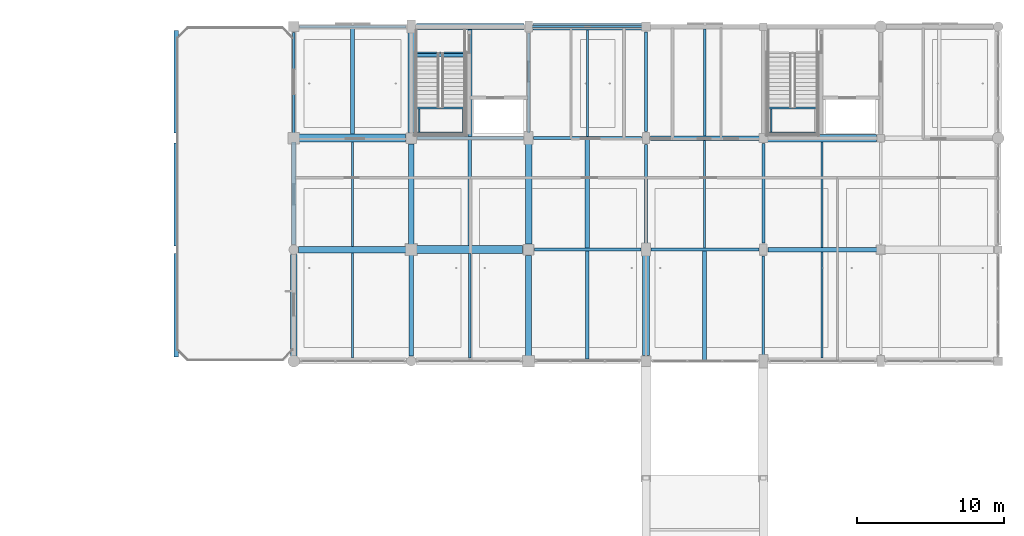
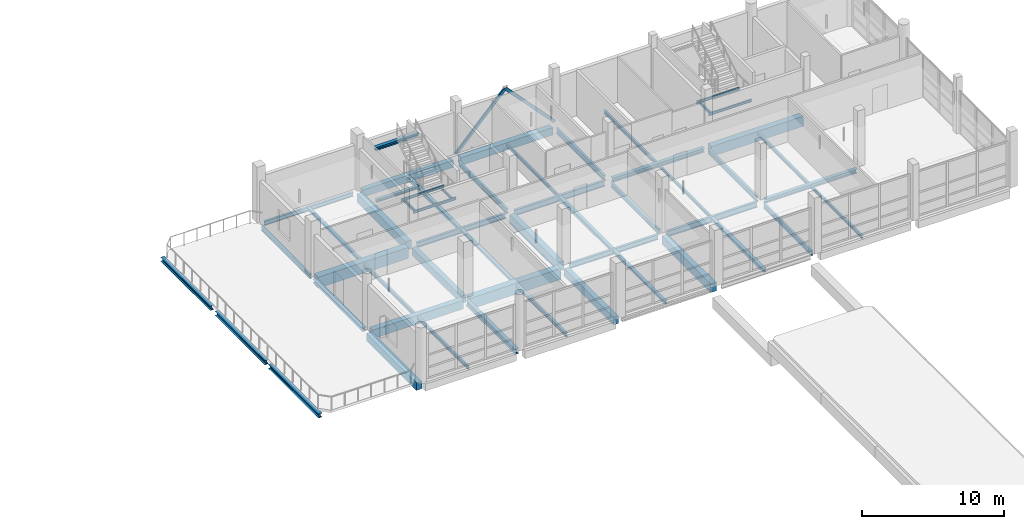
# One storey, part 53 of 107: 53 beams, 2 members.
"""IFC4 building model written with IfcOpenShell, lengths in metres."""

import ifcopenshell
import ifcopenshell.guid

model = None  # the IFC model being written
_history = None  # IfcOwnerHistory: only IFC2X3 demands one
_inside = {}  # id of a spatial element -> (the spatial element, [elements in it])
_under = {}  # id of a project, library or spatial element -> (it, [spatial elements below it])
_declared = {}  # id of a project -> (the project, [libraries it declares])
_typed = {}  # id of a type object -> (the type object, [elements of that type])
_made_of = {}  # id of a material, layer set ... -> (it, [elements and type objects made of it])


def new_model(schema):
    """Start an empty IFC model of exactly this schema.

    Asked for "IFC4X3", IfcOpenShell would pick the latest addendum, in which some entities
    have other attributes; the version numbers below select the first issue.
    IFC2X3 requires an IfcOwnerHistory on every rooted entity: one is made here for all.
    """
    global model, _history
    if schema == "IFC4X3":
        model = ifcopenshell.file(schema_version=(4, 3, 0, 0))
    else:
        model = ifcopenshell.file(schema=schema)
    _inside.clear()
    _under.clear()
    _declared.clear()
    _typed.clear()
    _made_of.clear()
    _history = None
    if model.schema == "IFC2X3":
        org = make("IfcOrganization", Name="unknown")
        user = make(
            "IfcPersonAndOrganization",
            ThePerson=make("IfcPerson", FamilyName="unknown"),
            TheOrganization=org,
        )
        app = make(
            "IfcApplication",
            ApplicationDeveloper=org,
            Version="unknown",
            ApplicationFullName="unknown",
            ApplicationIdentifier="unknown",
        )
        _history = make(
            "IfcOwnerHistory",
            OwningUser=user,
            OwningApplication=app,
            ChangeAction="ADDED",
            CreationDate=0,
        )
    return model


def make(cls, **values):
    """One entity of the class cls with the attributes given. An attribute that is None is left unset."""
    return model.create_entity(
        cls, **{name: value for name, value in values.items() if value is not None}
    )


def rooted(cls, **values):
    """An entity with a GlobalId (a new one), such as an element, a storey or a relation."""
    return make(cls, GlobalId=ifcopenshell.guid.new(), OwnerHistory=_history, **values)


def si_unit(unit_type, name, prefix=None):
    """IfcSIUnit, for example si_unit("LENGTHUNIT", "METRE", prefix="MILLI")."""
    return make("IfcSIUnit", UnitType=unit_type, Prefix=prefix, Name=name)


def assignment(units):
    """IfcUnitAssignment: the units of a project."""
    return None if units is None else make("IfcUnitAssignment", Units=units)


def point(xyz):
    """IfcCartesianPoint."""
    return None if xyz is None else make("IfcCartesianPoint", Coordinates=xyz)


def direction(xyz):
    """IfcDirection."""
    return None if xyz is None else make("IfcDirection", DirectionRatios=xyz)


def frame(location, z_axis=None, x_axis=None):
    """IfcAxis2Placement3D, a coordinate frame: its origin and axes. An axis left out is left unset."""
    return make(
        "IfcAxis2Placement3D",
        Location=point(location),
        Axis=direction(z_axis),
        RefDirection=direction(x_axis),
    )


def frame_2d(location, x_axis=None):
    """IfcAxis2Placement2D, a coordinate frame in the plane: its origin and x axis."""
    return make(
        "IfcAxis2Placement2D", Location=point(location), RefDirection=direction(x_axis)
    )


def origin():
    """The frame at (0, 0, 0) with its axes left unset."""
    return frame((0.0, 0.0, 0.0))


def origin_2d():
    """The frame at (0, 0) in the plane with its x axis left unset."""
    return frame_2d((0.0, 0.0))


def place(relative_to, where):
    """IfcLocalPlacement: puts the frame where relative to a parent placement (None: the world)."""
    return make(
        "IfcLocalPlacement", PlacementRelTo=relative_to, RelativePlacement=where
    )


def context(
    kind, dimensions, precision=None, world=None, true_north=None, identifier=None
):
    """IfcGeometricRepresentationContext, for example the 3D "Model" context."""
    return make(
        "IfcGeometricRepresentationContext",
        ContextIdentifier=identifier,
        ContextType=kind,
        CoordinateSpaceDimension=dimensions,
        Precision=precision,
        WorldCoordinateSystem=world,
        TrueNorth=true_north,
    )


def subcontext(parent, identifier, kind, view, scale=None):
    """IfcGeometricRepresentationSubContext, for example "Body" below "Model"."""
    return make(
        "IfcGeometricRepresentationSubContext",
        ContextIdentifier=identifier,
        ContextType=kind,
        ParentContext=parent,
        TargetScale=scale,
        TargetView=view,
    )


def project(units=None, contexts=None):
    """IfcProject with its units and contexts."""
    return rooted(
        "IfcProject",
        Name="project",
        RepresentationContexts=contexts,
        UnitsInContext=assignment(units),
    )


def spatial(cls, under=None, at=None, **own):
    """A site, building, storey or space (cls), placed at a placement, below another one or the project."""
    s = rooted(cls, ObjectPlacement=at, **own)
    if under is not None:
        _under.setdefault(under.id(), (under, []))[1].append(s)
    return s


def profile(cls, at=None, kind="AREA", **sizes):
    """A parametric profile (cls). Its sizes go by their IFC names, for example OverallWidth=200.0."""
    return make(cls, ProfileType=kind, Position=at, **sizes)


def rectangle(**sizes):
    """IfcRectangleProfileDef."""
    return profile("IfcRectangleProfileDef", **sizes)


def hollow_rectangle(**sizes):
    """IfcRectangleHollowProfileDef."""
    return profile("IfcRectangleHollowProfileDef", **sizes)


def i_section(**sizes):
    """IfcIShapeProfileDef."""
    return profile("IfcIShapeProfileDef", **sizes)


def extrude(swept, where, along, depth):
    """IfcExtrudedAreaSolid: the profile swept, set in the frame where, extruded along a direction by depth."""
    return make(
        "IfcExtrudedAreaSolid",
        SweptArea=swept,
        Position=where,
        ExtrudedDirection=direction(along),
        Depth=depth,
    )


def shape(context_of_items, identifier, shape_type, items):
    """IfcShapeRepresentation: the items that make up one representation, for example the "Body"."""
    return make(
        "IfcShapeRepresentation",
        ContextOfItems=context_of_items,
        RepresentationIdentifier=identifier,
        RepresentationType=shape_type,
        Items=items,
    )


def material(Name=None, Category=None):
    """IfcMaterial."""
    return make("IfcMaterial", Name=Name, Category=Category)


def material_profile(
    of_material, cross_section, Name=None, Category=None, Priority=None
):
    """IfcMaterialProfile: a cross section and its material."""
    return make(
        "IfcMaterialProfile",
        Name=Name,
        Material=of_material,
        Profile=cross_section,
        Priority=Priority,
        Category=Category,
    )


def profile_set(profiles, Name=None, composite=None):
    """IfcMaterialProfileSet."""
    return make(
        "IfcMaterialProfileSet",
        Name=Name,
        MaterialProfiles=profiles,
        CompositeProfile=composite,
    )


def made_of(thing, what):
    """Note that an element or type object is made of a material, layer set ...; save() writes the relation."""
    if what is not None:
        _made_of.setdefault(what.id(), (what, []))[1].append(thing)
    return thing


def type_object(cls, material=None, **own):
    """A type object (cls), such as IfcWallType, which elements share."""
    return made_of(rooted(cls, **own), material)


def element(
    cls,
    number,
    at=None,
    inside=None,
    cuts=None,
    type_object=None,
    material=None,
    context=None,
    identifier="Body",
    shape_type=None,
    held_by="IfcProductDefinitionShape",
    body=None,
    shapes=None,
    **own,
):
    """One element of the class cls, such as IfcWall. Its Tag is "e" and its number.

    at: its placement. inside: the storey or other place that contains it. cuts: it is an
    opening in that element (IfcRelVoidsElement). A single representation is given by context,
    identifier, shape_type and body (its items); several are given by shapes. held_by: the class
    of the entity that holds the representations. save() writes the other relations.
    """
    e = rooted(cls, Tag="e%d" % number, ObjectPlacement=at, **own)
    if body is not None:
        shapes = [shape(context, identifier, shape_type, body)]
    if shapes is not None:
        e.Representation = make(held_by, Representations=shapes)
    if inside is not None:
        _inside.setdefault(inside.id(), (inside, []))[1].append(e)
    if cuts is not None:
        rooted(
            "IfcRelVoidsElement", RelatingBuildingElement=cuts, RelatedOpeningElement=e
        )
    if type_object is not None:
        _typed.setdefault(type_object.id(), (type_object, []))[1].append(e)
    return made_of(e, material)


def aggregate(whole, parts):
    """IfcRelAggregates: a whole, such as a stair, and the parts it consists of."""
    return rooted("IfcRelAggregates", RelatingObject=whole, RelatedObjects=parts)


def save(model, path):
    """Write the relations noted so far, then the file.

    IfcRelAggregates (storeys below a building ...), IfcRelContainedInSpatialStructure (elements
    in a storey), IfcRelDefinesByType, IfcRelAssociatesMaterial and IfcRelDeclares: one each for
    every whole, place, type object, material and project.
    """
    for whole, parts in _under.values():
        aggregate(whole, parts)
    for where, things in _inside.values():
        rooted(
            "IfcRelContainedInSpatialStructure",
            RelatedElements=things,
            RelatingStructure=where,
        )
    for kind, things in _typed.values():
        rooted("IfcRelDefinesByType", RelatedObjects=things, RelatingType=kind)
    for what, things in _made_of.values():
        rooted("IfcRelAssociatesMaterial", RelatedObjects=things, RelatingMaterial=what)
    for by, libraries in _declared.values():
        rooted("IfcRelDeclares", RelatingContext=by, RelatedDefinitions=libraries)
    model.write(path)


model = new_model("IFC4")

# Units and contexts
model_context = context("Model", 3, precision=1e-05, world=origin(), true_north=direction((0.0, 1.0)))
body_context = subcontext(model_context, "Body", "Model", "MODEL_VIEW")
ifc_project = project(units=[si_unit("LENGTHUNIT", "METRE"), si_unit("AREAUNIT", "SQUARE_METRE"), si_unit("VOLUMEUNIT", "CUBIC_METRE"), si_unit("PLANEANGLEUNIT", "RADIAN"), si_unit("MASSUNIT", "GRAM", prefix="KILO")], contexts=[model_context])

# Site, building, storey
site_placement = place(None, origin())
site = spatial("IfcSite", under=ifc_project, at=site_placement, CompositionType="ELEMENT")
building_placement = place(site_placement, origin())
building = spatial("IfcBuilding", under=site, at=building_placement, Name="Khelvaren Railside Concert Hall", CompositionType="ELEMENT")
storey_placement = place(building_placement, frame((0.0, 0.0, 15.0)))
storey = spatial("IfcBuildingStorey", under=building, at=storey_placement, Name="L03", CompositionType="ELEMENT", Elevation=15.0)

# Beams
ifc_material_1 = material(Name="Steel S355", Category="steel")
ifc_material_profile_1 = material_profile(ifc_material_1, i_section(OverallWidth=0.179931640625, OverallDepth=0.39990234375, WebThickness=0.008544921875, FlangeThickness=0.013427734375, FilletRadius=0.02099609375, at=origin_2d()), Name="IPE 400")
ifc_profile_set_1 = profile_set([ifc_material_profile_1], Name="Steel S355")
beam_type_1 = type_object("IfcBeamType", Name="BM29", PredefinedType="BEAM", material=ifc_profile_set_1)
for number, where, z_axis, x_axis, name in (
    (1, (152.0, 106.75, -0.47998046875), (0.0, 1.0, 0.0), (-1.0, 0.0, 0.0), "V5 L03 Beam Y4.4"),
    (2, (160.0, 99.14990234375, -0.47998046875), (0.0, 1.0, 0.0), (-1.0, 0.0, 0.0), "V5 L03 Beam Y5.3"),
    (3, (168.0, 91.550048828125, -0.47998046875), (0.0, 1.0, 0.0), (-1.0, 0.0, 0.0), "V5 L03 Beam Y6.2"),
):
    element("IfcBeam", number, at=place(storey_placement, frame(where, z_axis=z_axis, x_axis=x_axis)), inside=storey, type_object=beam_type_1, Name=name, PredefinedType="BEAM", context=body_context, shape_type="SweptSolid", body=[
        extrude(i_section(OverallWidth=0.179931640625, OverallDepth=0.39990234375, WebThickness=0.008544921875, FlangeThickness=0.013427734375, FilletRadius=0.02099609375, at=origin_2d()), origin(), (0.0, 0.0, 1.0), 6.800048828125),
    ])
ifc_material_2 = material(Name="Concrete C40/50", Category="concrete")
ifc_material_profile_2 = material_profile(ifc_material_2, rectangle(XDim=0.39990234375, YDim=0.64990234375, at=origin_2d()), Name="RCB 400x650")
ifc_profile_set_2 = profile_set([ifc_material_profile_2], Name="Concrete C40/50")
beam_type_2 = type_object("IfcBeamType", Name="BM33", PredefinedType="BEAM", material=ifc_profile_set_2)
for number, where, z_axis, x_axis, name in (
    (4, (144.0, 99.072998046875, -0.60498046875), (0.0, 1.0, 0.0), (-1.0, 0.0, 0.0), "V5 L03 Beam Y3.3"),
    (5, (152.0, 91.472900390625, -0.60498046875), (0.0, 1.0, 0.0), (-1.0, 0.0, 0.0), "V5 L03 Beam Y4.2"),
):
    element("IfcBeam", number, at=place(storey_placement, frame(where, z_axis=z_axis, x_axis=x_axis)), inside=storey, type_object=beam_type_2, Name=name, PredefinedType="BEAM", context=body_context, shape_type="SweptSolid", body=[
        extrude(rectangle(XDim=0.39990234375, YDim=0.64990234375, at=origin_2d()), origin(), (0.0, 0.0, 1.0), 6.927001953125),
    ])
ifc_material_profile_3 = material_profile(ifc_material_1, i_section(OverallWidth=0.239990234375, OverallDepth=0.22998046875, WebThickness=0.007568359375, FlangeThickness=0.011962890625, FilletRadius=0.02099609375, at=origin_2d()), Name="HEA 240")
ifc_profile_set_3 = profile_set([ifc_material_profile_3], Name="Steel S355")
beam_type_3 = type_object("IfcBeamType", Name="BM42", PredefinedType="BEAM", material=ifc_profile_set_3)
beam_1_placement = place(storey_placement, frame((144.344970703125, 112.039306640625, -0.114990234375), z_axis=(1.0, 0.0, 0.0), x_axis=(0.0, 1.0, 0.0)))
element("IfcBeam", 6, at=beam_1_placement, inside=storey, type_object=beam_type_3, Name="ST-09 L03 Stair Foot Trimmer Beam", PredefinedType="BEAM", context=body_context, shape_type="SweptSolid", body=[
    extrude(i_section(OverallWidth=0.239990234375, OverallDepth=0.22998046875, WebThickness=0.007568359375, FlangeThickness=0.011962890625, FilletRadius=0.02099609375, at=origin_2d()), origin(), (0.0, 0.0, 1.0), 3.4951171875),
])
ifc_material_profile_4 = material_profile(ifc_material_1, i_section(OverallWidth=0.199951171875, OverallDepth=0.5, WebThickness=0.01025390625, FlangeThickness=0.01611328125, FilletRadius=0.02099609375, at=origin_2d()), Name="IPE 500")
ifc_profile_set_4 = profile_set([ifc_material_profile_4], Name="Steel S355")
beam_type_4 = type_object("IfcBeamType", Name="BM62", PredefinedType="BEAM", material=ifc_profile_set_4)
for number, where, z_axis, x_axis, name in (
    (7, (160.35009765625, 98.800048828125, -0.530029296875), (1.0, 0.0, 0.0), (0.0, 1.0, 0.0), "V5 L03 Beam X3.5"),
    (8, (152.35009765625, 106.39990234375, -0.530029296875), (1.0, 0.0, 0.0), (0.0, 1.0, 0.0), "V5 L03 Beam X4.4"),
):
    element("IfcBeam", number, at=place(storey_placement, frame(where, z_axis=z_axis, x_axis=x_axis)), inside=storey, type_object=beam_type_4, Name=name, PredefinedType="BEAM", context=body_context, shape_type="SweptSolid", body=[
        extrude(i_section(OverallWidth=0.199951171875, OverallDepth=0.5, WebThickness=0.01025390625, FlangeThickness=0.01611328125, FilletRadius=0.02099609375, at=origin_2d()), origin(), (0.0, 0.0, 1.0), 7.349853515625),
    ])
ifc_material_profile_5 = material_profile(ifc_material_1, i_section(OverallWidth=0.300048828125, OverallDepth=0.35009765625, WebThickness=0.010009765625, FlangeThickness=0.017578125, FilletRadius=0.027099609375, at=origin_2d()), Name="HEA 360")
ifc_profile_set_5 = profile_set([ifc_material_profile_5], Name="Steel S355")
beam_type_5 = type_object("IfcBeamType", Name="BM73", PredefinedType="BEAM", material=ifc_profile_set_5)
for number, where, z_axis, x_axis, name in (
    (9, (168.300048828125, 98.800048828125, -0.455078125), (1.0, 0.0, 0.0), (0.0, 1.0, 0.0), "V5 L03 Beam X3.6"),
    (10, (160.300048828125, 106.39990234375, -0.455078125), (1.0, 0.0, 0.0), (0.0, 1.0, 0.0), "V5 L03 Beam X4.5"),
):
    element("IfcBeam", number, at=place(storey_placement, frame(where, z_axis=z_axis, x_axis=x_axis)), inside=storey, type_object=beam_type_5, Name=name, PredefinedType="BEAM", context=body_context, shape_type="SweptSolid", body=[
        extrude(i_section(OverallWidth=0.300048828125, OverallDepth=0.35009765625, WebThickness=0.010009765625, FlangeThickness=0.017578125, FilletRadius=0.027099609375, at=origin_2d()), origin(), (0.0, 0.0, 1.0), 7.449951171875),
    ])
ifc_material_profile_6 = material_profile(ifc_material_2, rectangle(XDim=0.449951171875, YDim=0.75, at=origin_2d()), Name="RCB 450x750")
ifc_profile_set_6 = profile_set([ifc_material_profile_6], Name="Concrete C40/50")
beam_type_6 = type_object("IfcBeamType", Name="BM83", PredefinedType="BEAM", material=ifc_profile_set_6)
beam_2_placement = place(storey_placement, frame((136.3359375, 98.800048828125, -0.655029296875), z_axis=(1.0, 0.0, 0.0), x_axis=(0.0, 1.0, 0.0)))
element("IfcBeam", 11, at=beam_2_placement, inside=storey, type_object=beam_type_6, Name="V5 L03 Beam X3.2", PredefinedType="BEAM", context=body_context, shape_type="SweptSolid", body=[
    extrude(rectangle(XDim=0.449951171875, YDim=0.75, at=origin_2d()), origin(), (0.0, 0.0, 1.0), 7.39111328125),
])
beam_3_placement = place(storey_placement, frame((144.0, 106.800048828125, -0.655029296875), z_axis=(0.0, 1.0, 0.0), x_axis=(-1.0, 0.0, 0.0)))
element("IfcBeam", 12, at=beam_3_placement, inside=storey, type_object=beam_type_6, Name="V5 L03 Beam Y3.4", PredefinedType="BEAM", context=body_context, shape_type="SweptSolid", body=[
    extrude(rectangle(XDim=0.449951171875, YDim=0.75, at=origin_2d()), origin(), (0.0, 0.0, 1.0), 6.849853515625),
])
beam_4_placement = place(storey_placement, frame((152.0, 99.199951171875, -0.655029296875), z_axis=(0.0, 1.0, 0.0), x_axis=(-1.0, 0.0, 0.0)))
element("IfcBeam", 13, at=beam_4_placement, inside=storey, type_object=beam_type_6, Name="V5 L03 Beam Y4.3", PredefinedType="BEAM", context=body_context, shape_type="SweptSolid", body=[
    extrude(rectangle(XDim=0.449951171875, YDim=0.75, at=origin_2d()), origin(), (0.0, 0.0, 1.0), 6.85009765625),
])
beam_5_placement = place(storey_placement, frame((160.0, 91.60009765625, -0.655029296875), z_axis=(0.0, 1.0, 0.0), x_axis=(-1.0, 0.0, 0.0)))
element("IfcBeam", 14, at=beam_5_placement, inside=storey, type_object=beam_type_6, Name="V5 L03 Beam Y5.2", PredefinedType="BEAM", context=body_context, shape_type="SweptSolid", body=[
    extrude(rectangle(XDim=0.449951171875, YDim=0.75, at=origin_2d()), origin(), (0.0, 0.0, 1.0), 6.849853515625),
])
ifc_material_profile_7 = material_profile(ifc_material_1, i_section(OverallWidth=0.110107421875, OverallDepth=0.219970703125, WebThickness=0.005859375, FlangeThickness=0.00927734375, FilletRadius=0.011962890625, at=origin_2d()), Name="IPE 220")
ifc_profile_set_7 = profile_set([ifc_material_profile_7], Name="Steel S355")
beam_type_7 = type_object("IfcBeamType", Name="BM87", PredefinedType="BEAM", material=ifc_profile_set_7)
for number, where, z_axis, x_axis, name in (
    (15, (144.344970703125, 108.455078125, 2.090087890625), (1.0, 0.0, 0.0), (0.0, 1.0, 0.0), "ST-09 L03 Half-Landing Front Beam"),
    (16, (144.344970703125, 106.760009765625, 2.090087890625), (1.0, 0.0, 0.0), (0.0, 1.0, 0.0), "ST-09 L03 Half-Landing Rear Beam"),
):
    element("IfcBeam", number, at=place(storey_placement, frame(where, z_axis=z_axis, x_axis=x_axis)), inside=storey, type_object=beam_type_7, Name=name, PredefinedType="BEAM", context=body_context, shape_type="SweptSolid", body=[
        extrude(i_section(OverallWidth=0.110107421875, OverallDepth=0.219970703125, WebThickness=0.005859375, FlangeThickness=0.00927734375, FilletRadius=0.011962890625, at=origin_2d()), origin(), (0.0, 0.0, 1.0), 3.4951171875),
    ])
for number, where, z_axis, x_axis, name in (
    (17, (144.550048828125, 106.81494140625, 2.090087890625), (0.0, 1.0, 0.0), (-1.0, 0.0, 0.0), "ST-09 L03 Half-Landing Side Tie W"),
    (18, (147.550048828125, 106.81494140625, 2.090087890625), (0.0, 1.0, 0.0), (-1.0, 0.0, 0.0), "ST-09 L03 Half-Landing Side Tie E"),
):
    element("IfcBeam", number, at=place(storey_placement, frame(where, z_axis=z_axis, x_axis=x_axis)), inside=storey, type_object=beam_type_7, Name=name, PredefinedType="BEAM", context=body_context, shape_type="SweptSolid", body=[
        extrude(i_section(OverallWidth=0.110107421875, OverallDepth=0.219970703125, WebThickness=0.005859375, FlangeThickness=0.00927734375, FilletRadius=0.011962890625, at=origin_2d()), origin(), (0.0, 0.0, 1.0), 1.5849609375),
    ])
for number, where, z_axis, x_axis, name in (
    (19, (168.344970703125, 108.455078125, 2.090087890625), (1.0, 0.0, 0.0), (0.0, 1.0, 0.0), "ST-10 L03 Half-Landing Front Beam"),
    (20, (168.344970703125, 106.760009765625, 2.090087890625), (1.0, 0.0, 0.0), (0.0, 1.0, 0.0), "ST-10 L03 Half-Landing Rear Beam"),
):
    element("IfcBeam", number, at=place(storey_placement, frame(where, z_axis=z_axis, x_axis=x_axis)), inside=storey, type_object=beam_type_7, Name=name, PredefinedType="BEAM", context=body_context, shape_type="SweptSolid", body=[
        extrude(i_section(OverallWidth=0.110107421875, OverallDepth=0.219970703125, WebThickness=0.005859375, FlangeThickness=0.00927734375, FilletRadius=0.011962890625, at=origin_2d()), origin(), (0.0, 0.0, 1.0), 3.4951171875),
    ])
beam_6_placement = place(storey_placement, frame((168.550048828125, 106.81494140625, 2.090087890625), z_axis=(0.0, 1.0, 0.0), x_axis=(-1.0, 0.0, 0.0)))
element("IfcBeam", 21, at=beam_6_placement, inside=storey, type_object=beam_type_7, Name="ST-10 L03 Half-Landing Side Tie W", PredefinedType="BEAM", context=body_context, shape_type="SweptSolid", body=[
    extrude(i_section(OverallWidth=0.110107421875, OverallDepth=0.219970703125, WebThickness=0.005859375, FlangeThickness=0.00927734375, FilletRadius=0.011962890625, at=origin_2d()), origin(), (0.0, 0.0, 1.0), 1.5849609375),
])
ifc_material_profile_8 = material_profile(ifc_material_1, i_section(OverallWidth=0.300048828125, OverallDepth=0.43994140625, WebThickness=0.011474609375, FlangeThickness=0.02099609375, FilletRadius=0.027099609375, at=origin_2d()), Name="HEA 450")
ifc_profile_set_8 = profile_set([ifc_material_profile_8], Name="Steel S355")
beam_type_8 = type_object("IfcBeamType", Name="BM89", PredefinedType="BEAM", material=ifc_profile_set_8)
beam_7_placement = place(storey_placement, frame((144.0, 91.535888671875, -0.5), z_axis=(0.0, 1.0, 0.0), x_axis=(-1.0, 0.0, 0.0)))
element("IfcBeam", 22, at=beam_7_placement, inside=storey, type_object=beam_type_8, Name="V5 L03 Beam Y3.2", PredefinedType="BEAM", context=body_context, shape_type="SweptSolid", body=[
    extrude(i_section(OverallWidth=0.300048828125, OverallDepth=0.43994140625, WebThickness=0.011474609375, FlangeThickness=0.02099609375, FilletRadius=0.027099609375, at=origin_2d()), origin(), (0.0, 0.0, 1.0), 6.9912109375),
])
ifc_material_profile_9 = material_profile(ifc_material_1, i_section(OverallWidth=0.280029296875, OverallDepth=0.27001953125, WebThickness=0.008056640625, FlangeThickness=0.012939453125, FilletRadius=0.02392578125, at=origin_2d()), Name="HEA 280")
ifc_profile_set_9 = profile_set([ifc_material_profile_9], Name="Steel S355")
beam_type_9 = type_object("IfcBeamType", Name="BM93", PredefinedType="BEAM", material=ifc_profile_set_9)
beam_8_placement = place(storey_placement, frame((144.344970703125, 112.139892578125, 4.317626953125), z_axis=(1.0, 0.0, 0.0), x_axis=(0.0, 1.0, 0.0)))
element("IfcBeam", 23, at=beam_8_placement, inside=storey, type_object=beam_type_9, Name="ST-09 L03 Stair Top Arrival Trimmer Beam", PredefinedType="BEAM", context=body_context, shape_type="SweptSolid", body=[
    extrude(i_section(OverallWidth=0.280029296875, OverallDepth=0.27001953125, WebThickness=0.008056640625, FlangeThickness=0.012939453125, FilletRadius=0.02392578125, at=origin_2d()), origin(), (0.0, 0.0, 1.0), 3.4951171875),
])
ifc_material_profile_10 = material_profile(ifc_material_1, i_section(OverallWidth=0.18994140625, OverallDepth=0.449951171875, WebThickness=0.009521484375, FlangeThickness=0.0146484375, FilletRadius=0.02099609375, at=origin_2d()), Name="IPE 450")
ifc_profile_set_10 = profile_set([ifc_material_profile_10], Name="Steel S355")
beam_type_10 = type_object("IfcBeamType", Name="BM95", PredefinedType="BEAM", material=ifc_profile_set_10)
for number, where, z_axis, x_axis, name in (
    (24, (152.39990234375, 98.800048828125, -0.5048828125), (1.0, 0.0, 0.0), (0.0, 1.0, 0.0), "V5 L03 Beam X3.4"),
    (25, (144.39990234375, 106.39990234375, -0.5048828125), (1.0, 0.0, 0.0), (0.0, 1.0, 0.0), "V5 L03 Beam X4.3"),
):
    element("IfcBeam", number, at=place(storey_placement, frame(where, z_axis=z_axis, x_axis=x_axis)), inside=storey, type_object=beam_type_10, Name=name, PredefinedType="BEAM", context=body_context, shape_type="SweptSolid", body=[
        extrude(i_section(OverallWidth=0.18994140625, OverallDepth=0.449951171875, WebThickness=0.009521484375, FlangeThickness=0.0146484375, FilletRadius=0.02099609375, at=origin_2d()), origin(), (0.0, 0.0, 1.0), 7.25),
    ])
for number, where, z_axis, x_axis, name in (
    (26, (160.0, 106.85009765625, -0.5048828125), (0.0, 1.0, 0.0), (-1.0, 0.0, 0.0), "V5 L03 Beam Y5.4"),
    (27, (168.0, 99.25, -0.5048828125), (0.0, 1.0, 0.0), (-1.0, 0.0, 0.0), "V5 L03 Beam Y6.3"),
):
    element("IfcBeam", number, at=place(storey_placement, frame(where, z_axis=z_axis, x_axis=x_axis)), inside=storey, type_object=beam_type_10, Name=name, PredefinedType="BEAM", context=body_context, shape_type="SweptSolid", body=[
        extrude(i_section(OverallWidth=0.18994140625, OverallDepth=0.449951171875, WebThickness=0.009521484375, FlangeThickness=0.0146484375, FilletRadius=0.02099609375, at=origin_2d()), origin(), (0.0, 0.0, 1.0), 6.77490234375),
    ])

# Members
ifc_material_profile_11 = material_profile(ifc_material_1, hollow_rectangle(XDim=0.14990234375, YDim=0.25, WallThickness=0.012451171875, InnerFilletRadius=0.012451171875, OuterFilletRadius=0.01904296875, at=origin_2d()), Name="RHS 250x150x12.5")
ifc_profile_set_11 = profile_set([ifc_material_profile_11], Name="Steel S355")
member_type = type_object("IfcMemberType", Name="BR52", PredefinedType="BRACE", material=ifc_profile_set_11)
for number, where, z_axis, x_axis, name in (
    (28, (152.0, 114.0, 0.050048828125), (0.687079015736, 0.0, 0.726582704263), (0.0, 1.0, 0.0), "V5 L03 Seismic Chevron Brace 63"),
    (29, (160.0, 114.0, 0.050048828125), (-0.687079015736, 0.0, 0.726582704263), (0.0, -1.0, 0.0), "V5 L03 Seismic Chevron Brace 64"),
):
    element("IfcMember", number, at=place(storey_placement, frame(where, z_axis=z_axis, x_axis=x_axis)), inside=storey, type_object=member_type, Name=name, PredefinedType="BRACE", context=body_context, shape_type="SweptSolid", body=[
        extrude(hollow_rectangle(XDim=0.14990234375, YDim=0.25, WallThickness=0.012451171875, InnerFilletRadius=0.012451171875, OuterFilletRadius=0.01904296875, at=origin_2d()), origin(), (0.0, 0.0, 1.0), 5.82177734375),
    ])

# Beams
ifc_material_profile_12 = material_profile(ifc_material_2, rectangle(XDim=0.550048828125, YDim=0.949951171875, at=origin_2d()), Name="RCB 550x950")
ifc_profile_set_12 = profile_set([ifc_material_profile_12], Name="Concrete C40/50")
beam_type_11 = type_object("IfcBeamType", Name="GR57", PredefinedType="T_BEAM", material=ifc_profile_set_12)
for number, where, z_axis, x_axis, name in (
    (30, (144.27294921875, 98.800048828125, -0.7548828125), (1.0, 0.0, 0.0), (0.0, 1.0, 0.0), "V5 L03 T_Beam X3.3"),
    (31, (136.27294921875, 106.39990234375, -0.7548828125), (1.0, 0.0, 0.0), (0.0, 1.0, 0.0), "V5 L03 T_Beam X4.2"),
):
    element("IfcBeam", number, at=place(storey_placement, frame(where, z_axis=z_axis, x_axis=x_axis)), inside=storey, type_object=beam_type_11, Name=name, PredefinedType="T_BEAM", context=body_context, shape_type="SweptSolid", body=[
        extrude(rectangle(XDim=0.550048828125, YDim=0.949951171875, at=origin_2d()), origin(), (0.0, 0.0, 1.0), 7.3271484375),
    ])
ifc_material_profile_13 = material_profile(ifc_material_2, rectangle(XDim=0.5, YDim=0.85009765625, at=origin_2d()), Name="RCB 500x850")
ifc_profile_set_13 = profile_set([ifc_material_profile_13], Name="Concrete C40/50")
beam_type_12 = type_object("IfcBeamType", Name="GR96", PredefinedType="T_BEAM", material=ifc_profile_set_13)
beam_9_placement = place(storey_placement, frame((168.25, 106.39990234375, -0.705078125), z_axis=(1.0, 0.0, 0.0), x_axis=(0.0, 1.0, 0.0)))
element("IfcBeam", 32, at=beam_9_placement, inside=storey, type_object=beam_type_12, Name="V5 L03 T_Beam X4.6", PredefinedType="T_BEAM", context=body_context, shape_type="SweptSolid", body=[
    extrude(rectangle(XDim=0.5, YDim=0.85009765625, at=origin_2d()), origin(), (0.0, 0.0, 1.0), 7.449951171875),
])
ifc_material_profile_14 = material_profile(ifc_material_1, i_section(OverallWidth=0.14990234375, OverallDepth=0.300048828125, WebThickness=0.007080078125, FlangeThickness=0.0107421875, FilletRadius=0.014892578125, at=origin_2d()), Name="IPE 300")
ifc_profile_set_14 = profile_set([ifc_material_profile_14], Name="Steel S355")
beam_type_13 = type_object("IfcBeamType", Name="JS26", PredefinedType="JOIST", material=ifc_profile_set_14)
beam_10_placement = place(storey_placement, frame((140.0, 91.39990234375, -0.429931640625), z_axis=(0.0, 1.0, 0.0), x_axis=(-1.0, 0.0, 0.0)))
element("IfcBeam", 33, at=beam_10_placement, inside=storey, type_object=beam_type_13, Name="V5 L03 Secondary Joist 2.2", PredefinedType="JOIST", context=body_context, shape_type="SweptSolid", body=[
    extrude(i_section(OverallWidth=0.14990234375, OverallDepth=0.300048828125, WebThickness=0.007080078125, FlangeThickness=0.0107421875, FilletRadius=0.014892578125, at=origin_2d()), origin(), (0.0, 0.0, 1.0), 7.175048828125),
])
beam_11_placement = place(storey_placement, frame((164.0, 106.550048828125, -0.429931640625), z_axis=(0.0, 1.0, 0.0), x_axis=(-1.0, 0.0, 0.0)))
element("IfcBeam", 34, at=beam_11_placement, inside=storey, type_object=beam_type_13, Name="V5 L03 Secondary Joist 5.4", PredefinedType="JOIST", context=body_context, shape_type="SweptSolid", body=[
    extrude(i_section(OverallWidth=0.14990234375, OverallDepth=0.300048828125, WebThickness=0.007080078125, FlangeThickness=0.0107421875, FilletRadius=0.014892578125, at=origin_2d()), origin(), (0.0, 0.0, 1.0), 7.300048828125),
])
beam_12_placement = place(storey_placement, frame((172.0, 98.949951171875, -0.429931640625), z_axis=(0.0, 1.0, 0.0), x_axis=(-1.0, 0.0, 0.0)))
element("IfcBeam", 35, at=beam_12_placement, inside=storey, type_object=beam_type_13, Name="V5 L03 Secondary Joist 6.3", PredefinedType="JOIST", context=body_context, shape_type="SweptSolid", body=[
    extrude(i_section(OverallWidth=0.14990234375, OverallDepth=0.300048828125, WebThickness=0.007080078125, FlangeThickness=0.0107421875, FilletRadius=0.014892578125, at=origin_2d()), origin(), (0.0, 0.0, 1.0), 7.199951171875),
])
ifc_material_profile_15 = material_profile(ifc_material_1, i_section(OverallWidth=0.280029296875, OverallDepth=0.27001953125, WebThickness=0.008056640625, FlangeThickness=0.012939453125, FilletRadius=0.02392578125, at=origin_2d()), Name="HEA 280")
ifc_profile_set_15 = profile_set([ifc_material_profile_15], Name="Steel S355")
beam_type_14 = type_object("IfcBeamType", Name="JS46", PredefinedType="JOIST", material=ifc_profile_set_15)
beam_13_placement = place(storey_placement, frame((148.0, 106.4951171875, -0.4150390625), z_axis=(0.0, 1.0, 0.0), x_axis=(-1.0, 0.0, 0.0)))
element("IfcBeam", 36, at=beam_13_placement, inside=storey, type_object=beam_type_14, Name="V5 L03 Secondary Joist 3.4", PredefinedType="JOIST", context=body_context, shape_type="SweptSolid", body=[
    extrude(i_section(OverallWidth=0.280029296875, OverallDepth=0.27001953125, WebThickness=0.008056640625, FlangeThickness=0.012939453125, FilletRadius=0.02392578125, at=origin_2d()), origin(), (0.0, 0.0, 1.0), 7.304931640625),
])
beam_14_placement = place(storey_placement, frame((156.0, 98.89501953125, -0.4150390625), z_axis=(0.0, 1.0, 0.0), x_axis=(-1.0, 0.0, 0.0)))
element("IfcBeam", 37, at=beam_14_placement, inside=storey, type_object=beam_type_14, Name="V5 L03 Secondary Joist 4.3", PredefinedType="JOIST", context=body_context, shape_type="SweptSolid", body=[
    extrude(i_section(OverallWidth=0.280029296875, OverallDepth=0.27001953125, WebThickness=0.008056640625, FlangeThickness=0.012939453125, FilletRadius=0.02392578125, at=origin_2d()), origin(), (0.0, 0.0, 1.0), 7.405029296875),
])
beam_15_placement = place(storey_placement, frame((164.0, 91.284912109375, -0.4150390625), z_axis=(0.0, 1.0, 0.0), x_axis=(-1.0, 0.0, 0.0)))
element("IfcBeam", 38, at=beam_15_placement, inside=storey, type_object=beam_type_14, Name="V5 L03 Secondary Joist 5.2", PredefinedType="JOIST", context=body_context, shape_type="SweptSolid", body=[
    extrude(i_section(OverallWidth=0.280029296875, OverallDepth=0.27001953125, WebThickness=0.008056640625, FlangeThickness=0.012939453125, FilletRadius=0.02392578125, at=origin_2d()), origin(), (0.0, 0.0, 1.0), 7.4150390625),
])
ifc_material_profile_16 = material_profile(ifc_material_1, i_section(OverallWidth=0.159912109375, OverallDepth=0.330078125, WebThickness=0.007568359375, FlangeThickness=0.011474609375, FilletRadius=0.01806640625, at=origin_2d()), Name="IPE 330")
ifc_profile_set_16 = profile_set([ifc_material_profile_16], Name="Steel S355")
beam_type_15 = type_object("IfcBeamType", Name="JS65", PredefinedType="JOIST", material=ifc_profile_set_16)
beam_16_placement = place(storey_placement, frame((140.0, 99.02490234375, -0.445068359375), z_axis=(0.0, 1.0, 0.0), x_axis=(-1.0, 0.0, 0.0)))
element("IfcBeam", 39, at=beam_16_placement, inside=storey, type_object=beam_type_15, Name="V5 L03 Secondary Joist 2.3", PredefinedType="JOIST", context=body_context, shape_type="SweptSolid", body=[
    extrude(i_section(OverallWidth=0.159912109375, OverallDepth=0.330078125, WebThickness=0.007568359375, FlangeThickness=0.011474609375, FilletRadius=0.01806640625, at=origin_2d()), origin(), (0.0, 0.0, 1.0), 7.10009765625),
])
beam_17_placement = place(storey_placement, frame((148.0, 91.425048828125, -0.445068359375), z_axis=(0.0, 1.0, 0.0), x_axis=(-1.0, 0.0, 0.0)))
element("IfcBeam", 40, at=beam_17_placement, inside=storey, type_object=beam_type_15, Name="V5 L03 Secondary Joist 3.2", PredefinedType="JOIST", context=body_context, shape_type="SweptSolid", body=[
    extrude(i_section(OverallWidth=0.159912109375, OverallDepth=0.330078125, WebThickness=0.007568359375, FlangeThickness=0.011474609375, FilletRadius=0.01806640625, at=origin_2d()), origin(), (0.0, 0.0, 1.0), 7.099853515625),
])
ifc_material_profile_17 = material_profile(ifc_material_1, i_section(OverallWidth=0.239990234375, OverallDepth=0.22998046875, WebThickness=0.007568359375, FlangeThickness=0.011962890625, FilletRadius=0.02099609375, at=origin_2d()), Name="HEA 240")
ifc_profile_set_17 = profile_set([ifc_material_profile_17], Name="Steel S355")
beam_type_16 = type_object("IfcBeamType", Name="JS76", PredefinedType="JOIST", material=ifc_profile_set_17)
beam_18_placement = place(storey_placement, frame((140.0, 106.675048828125, -0.39501953125), z_axis=(0.0, 1.0, 0.0), x_axis=(-1.0, 0.0, 0.0)))
element("IfcBeam", 41, at=beam_18_placement, inside=storey, type_object=beam_type_16, Name="V5 L03 Secondary Joist 2.4", PredefinedType="JOIST", context=body_context, shape_type="SweptSolid", body=[
    extrude(i_section(OverallWidth=0.239990234375, OverallDepth=0.22998046875, WebThickness=0.007568359375, FlangeThickness=0.011962890625, FilletRadius=0.02099609375, at=origin_2d()), origin(), (0.0, 0.0, 1.0), 7.239990234375),
])
beam_19_placement = place(storey_placement, frame((148.0, 99.074951171875, -0.39501953125), z_axis=(0.0, 1.0, 0.0), x_axis=(-1.0, 0.0, 0.0)))
element("IfcBeam", 42, at=beam_19_placement, inside=storey, type_object=beam_type_16, Name="V5 L03 Secondary Joist 3.3", PredefinedType="JOIST", context=body_context, shape_type="SweptSolid", body=[
    extrude(i_section(OverallWidth=0.239990234375, OverallDepth=0.22998046875, WebThickness=0.007568359375, FlangeThickness=0.011962890625, FilletRadius=0.02099609375, at=origin_2d()), origin(), (0.0, 0.0, 1.0), 7.22998046875),
])
beam_20_placement = place(storey_placement, frame((156.0, 91.35009765625, -0.39501953125), z_axis=(0.0, 1.0, 0.0), x_axis=(-1.0, 0.0, 0.0)))
element("IfcBeam", 43, at=beam_20_placement, inside=storey, type_object=beam_type_16, Name="V5 L03 Secondary Joist 4.2", PredefinedType="JOIST", context=body_context, shape_type="SweptSolid", body=[
    extrude(i_section(OverallWidth=0.239990234375, OverallDepth=0.22998046875, WebThickness=0.007568359375, FlangeThickness=0.011962890625, FilletRadius=0.02099609375, at=origin_2d()), origin(), (0.0, 0.0, 1.0), 7.35498046875),
])
ifc_material_profile_18 = material_profile(ifc_material_1, i_section(OverallWidth=0.135009765625, OverallDepth=0.27001953125, WebThickness=0.006591796875, FlangeThickness=0.01025390625, FilletRadius=0.014892578125, at=origin_2d()), Name="IPE 270")
ifc_profile_set_18 = profile_set([ifc_material_profile_18], Name="Steel S355")
beam_type_17 = type_object("IfcBeamType", Name="JS78", PredefinedType="JOIST", material=ifc_profile_set_18)
beam_21_placement = place(storey_placement, frame((156.0, 106.5, -0.4150390625), z_axis=(0.0, 1.0, 0.0), x_axis=(-1.0, 0.0, 0.0)))
element("IfcBeam", 44, at=beam_21_placement, inside=storey, type_object=beam_type_17, Name="V5 L03 Secondary Joist 4.4", PredefinedType="JOIST", context=body_context, shape_type="SweptSolid", body=[
    extrude(i_section(OverallWidth=0.135009765625, OverallDepth=0.27001953125, WebThickness=0.006591796875, FlangeThickness=0.01025390625, FilletRadius=0.014892578125, at=origin_2d()), origin(), (0.0, 0.0, 1.0), 7.27490234375),
])
beam_22_placement = place(storey_placement, frame((164.0, 98.89990234375, -0.4150390625), z_axis=(0.0, 1.0, 0.0), x_axis=(-1.0, 0.0, 0.0)))
element("IfcBeam", 45, at=beam_22_placement, inside=storey, type_object=beam_type_17, Name="V5 L03 Secondary Joist 5.3", PredefinedType="JOIST", context=body_context, shape_type="SweptSolid", body=[
    extrude(i_section(OverallWidth=0.135009765625, OverallDepth=0.27001953125, WebThickness=0.006591796875, FlangeThickness=0.01025390625, FilletRadius=0.014892578125, at=origin_2d()), origin(), (0.0, 0.0, 1.0), 7.35009765625),
])
beam_23_placement = place(storey_placement, frame((172.0, 91.39990234375, -0.4150390625), z_axis=(0.0, 1.0, 0.0), x_axis=(-1.0, 0.0, 0.0)))
element("IfcBeam", 46, at=beam_23_placement, inside=storey, type_object=beam_type_17, Name="V5 L03 Secondary Joist 6.2", PredefinedType="JOIST", context=body_context, shape_type="SweptSolid", body=[
    extrude(i_section(OverallWidth=0.135009765625, OverallDepth=0.27001953125, WebThickness=0.006591796875, FlangeThickness=0.01025390625, FilletRadius=0.014892578125, at=origin_2d()), origin(), (0.0, 0.0, 1.0), 7.25),
])
ifc_material_profile_19 = material_profile(ifc_material_2, rectangle(XDim=0.449951171875, YDim=0.64990234375, at=origin_2d()), Name="RCB 450x650")
ifc_profile_set_19 = profile_set([ifc_material_profile_19], Name="Concrete C40/50")
beam_type_18 = type_object("IfcBeamType", Name="SP34", PredefinedType="SPANDREL", material=ifc_profile_set_19)
beam_24_placement = place(storey_placement, frame((152.300048828125, 114.0, -0.60498046875), z_axis=(1.0, 0.0, 0.0), x_axis=(0.0, 1.0, 0.0)))
element("IfcBeam", 47, at=beam_24_placement, inside=storey, type_object=beam_type_18, Name="V5 L03 Spandrel X5.4", PredefinedType="SPANDREL", context=body_context, shape_type="SweptSolid", body=[
    extrude(rectangle(XDim=0.449951171875, YDim=0.64990234375, at=origin_2d()), origin(), (0.0, 0.0, 1.0), 7.449951171875),
])
beam_25_placement = place(storey_placement, frame((136.0, 91.449951171875, -0.60498046875), z_axis=(0.0, 1.0, 0.0), x_axis=(-1.0, 0.0, 0.0)))
element("IfcBeam", 48, at=beam_25_placement, inside=storey, type_object=beam_type_18, Name="V5 L03 Spandrel Y2.2", PredefinedType="SPANDREL", context=body_context, shape_type="SweptSolid", body=[
    extrude(rectangle(XDim=0.449951171875, YDim=0.64990234375, at=origin_2d()), origin(), (0.0, 0.0, 1.0), 7.01416015625),
])
ifc_material_profile_20 = material_profile(ifc_material_1, i_section(OverallWidth=0.300048828125, OverallDepth=0.35009765625, WebThickness=0.010009765625, FlangeThickness=0.017578125, FilletRadius=0.027099609375, at=origin_2d()), Name="HEA 360")
ifc_profile_set_20 = profile_set([ifc_material_profile_20], Name="Steel S355")
beam_type_19 = type_object("IfcBeamType", Name="SP38", PredefinedType="SPANDREL", material=ifc_profile_set_20)
beam_26_placement = place(storey_placement, frame((128.0, 91.5, -0.39501953125), z_axis=(0.0, 1.0, 0.0), x_axis=(-1.0, 0.0, 0.0)))
element("IfcBeam", 49, at=beam_26_placement, inside=storey, type_object=beam_type_19, Name="V5 L03 Terrace Edge Spandrel 27", PredefinedType="SPANDREL", context=body_context, shape_type="SweptSolid", body=[
    extrude(i_section(OverallWidth=0.300048828125, OverallDepth=0.35009765625, WebThickness=0.010009765625, FlangeThickness=0.017578125, FilletRadius=0.027099609375, at=origin_2d()), origin(), (0.0, 0.0, 1.0), 7.050048828125),
])
beam_27_placement = place(storey_placement, frame((128.0, 99.050048828125, -0.39501953125), z_axis=(0.0, 1.0, 0.0), x_axis=(-1.0, 0.0, 0.0)))
element("IfcBeam", 50, at=beam_27_placement, inside=storey, type_object=beam_type_19, Name="V5 L03 Terrace Edge Spandrel 28", PredefinedType="SPANDREL", context=body_context, shape_type="SweptSolid", body=[
    extrude(i_section(OverallWidth=0.300048828125, OverallDepth=0.35009765625, WebThickness=0.010009765625, FlangeThickness=0.017578125, FilletRadius=0.027099609375, at=origin_2d()), origin(), (0.0, 0.0, 1.0), 7.013916015625),
])
beam_28_placement = place(storey_placement, frame((128.0, 106.736083984375, -0.39501953125), z_axis=(0.0, 1.0, 0.0), x_axis=(-1.0, 0.0, 0.0)))
element("IfcBeam", 51, at=beam_28_placement, inside=storey, type_object=beam_type_19, Name="V5 L03 Terrace Edge Spandrel 29", PredefinedType="SPANDREL", context=body_context, shape_type="SweptSolid", body=[
    extrude(i_section(OverallWidth=0.300048828125, OverallDepth=0.35009765625, WebThickness=0.010009765625, FlangeThickness=0.017578125, FilletRadius=0.027099609375, at=origin_2d()), origin(), (0.0, 0.0, 1.0), 6.990966796875),
])
ifc_material_profile_21 = material_profile(ifc_material_1, i_section(OverallWidth=0.300048828125, OverallDepth=0.31005859375, WebThickness=0.009033203125, FlangeThickness=0.015380859375, FilletRadius=0.027099609375, at=origin_2d()), Name="HEA 320")
ifc_profile_set_21 = profile_set([ifc_material_profile_21], Name="Steel S355")
beam_type_20 = type_object("IfcBeamType", Name="SP66", PredefinedType="SPANDREL", material=ifc_profile_set_21)
beam_29_placement = place(storey_placement, frame((136.0, 99.135986328125, -0.43505859375), z_axis=(0.0, 1.0, 0.0), x_axis=(-1.0, 0.0, 0.0)))
element("IfcBeam", 52, at=beam_29_placement, inside=storey, type_object=beam_type_20, Name="V5 L03 Spandrel Y2.3", PredefinedType="SPANDREL", context=body_context, shape_type="SweptSolid", body=[
    extrude(i_section(OverallWidth=0.300048828125, OverallDepth=0.31005859375, WebThickness=0.009033203125, FlangeThickness=0.015380859375, FilletRadius=0.027099609375, at=origin_2d()), origin(), (0.0, 0.0, 1.0), 6.990966796875),
])
ifc_material_profile_22 = material_profile(ifc_material_1, i_section(OverallWidth=0.169921875, OverallDepth=0.360107421875, WebThickness=0.008056640625, FlangeThickness=0.0126953125, FilletRadius=0.01806640625, at=origin_2d()), Name="IPE 360")
ifc_profile_set_22 = profile_set([ifc_material_profile_22], Name="Steel S355")
beam_type_21 = type_object("IfcBeamType", Name="SP74", PredefinedType="SPANDREL", material=ifc_profile_set_22)
beam_30_placement = place(storey_placement, frame((136.39990234375, 114.0, -0.4599609375), z_axis=(1.0, 0.0, 0.0), x_axis=(0.0, 1.0, 0.0)))
element("IfcBeam", 53, at=beam_30_placement, inside=storey, type_object=beam_type_21, Name="V5 L03 Spandrel X5.2", PredefinedType="SPANDREL", context=body_context, shape_type="SweptSolid", body=[
    extrude(i_section(OverallWidth=0.169921875, OverallDepth=0.360107421875, WebThickness=0.008056640625, FlangeThickness=0.0126953125, FilletRadius=0.01806640625, at=origin_2d()), origin(), (0.0, 0.0, 1.0), 7.25),
])
beam_31_placement = place(storey_placement, frame((136.0, 106.673095703125, -0.4599609375), z_axis=(0.0, 1.0, 0.0), x_axis=(-1.0, 0.0, 0.0)))
element("IfcBeam", 54, at=beam_31_placement, inside=storey, type_object=beam_type_21, Name="V5 L03 Spandrel Y2.4", PredefinedType="SPANDREL", context=body_context, shape_type="SweptSolid", body=[
    extrude(i_section(OverallWidth=0.169921875, OverallDepth=0.360107421875, WebThickness=0.008056640625, FlangeThickness=0.0126953125, FilletRadius=0.01806640625, at=origin_2d()), origin(), (0.0, 0.0, 1.0), 6.927001953125),
])
ifc_material_profile_23 = material_profile(ifc_material_2, rectangle(XDim=0.39990234375, YDim=0.60009765625, at=origin_2d()), Name="RCB 400x600")
ifc_profile_set_23 = profile_set([ifc_material_profile_23], Name="Concrete C40/50")
beam_type_22 = type_object("IfcBeamType", Name="SP75", PredefinedType="SPANDREL", material=ifc_profile_set_23)
beam_32_placement = place(storey_placement, frame((144.35009765625, 114.0, -0.580078125), z_axis=(1.0, 0.0, 0.0), x_axis=(0.0, 1.0, 0.0)))
element("IfcBeam", 55, at=beam_32_placement, inside=storey, type_object=beam_type_22, Name="V5 L03 Spandrel X5.3", PredefinedType="SPANDREL", context=body_context, shape_type="SweptSolid", body=[
    extrude(rectangle(XDim=0.39990234375, YDim=0.60009765625, at=origin_2d()), origin(), (0.0, 0.0, 1.0), 7.349853515625),
])

save(model, "model.ifc")
